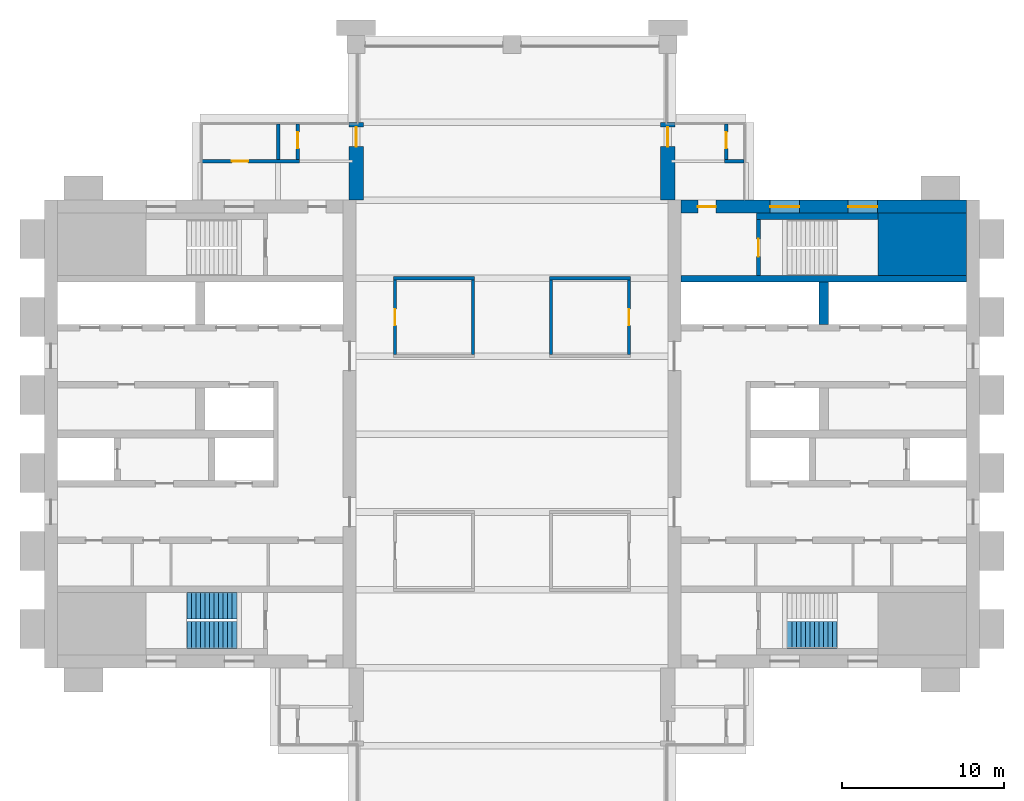
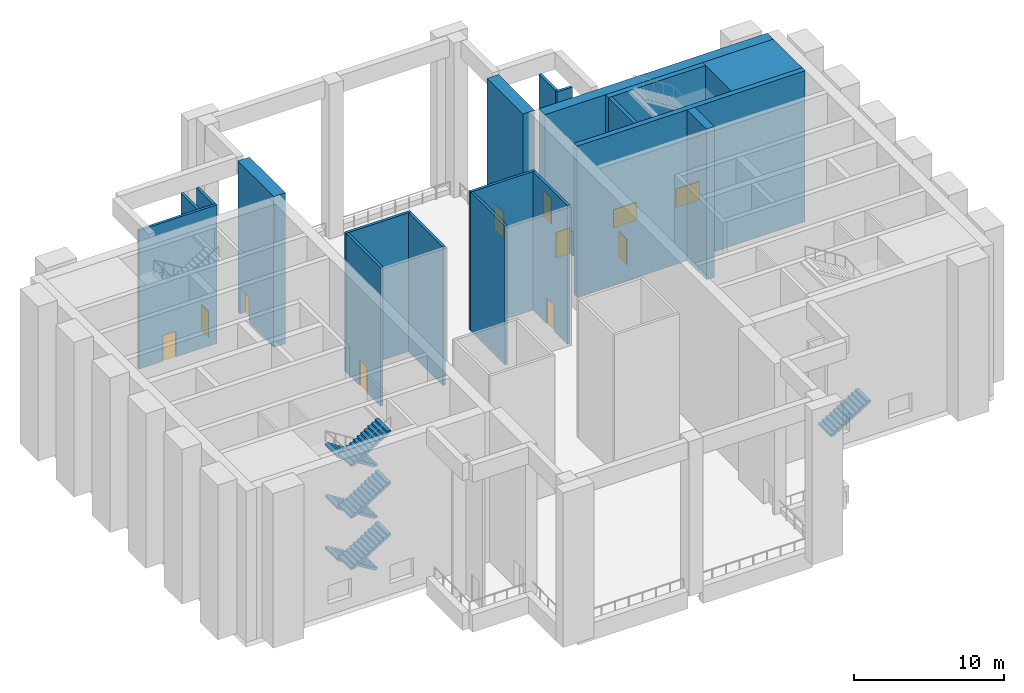
# One storey, part 5 of 8: 19 walls, 9 doors, 7 stair flights, 2 windows, 11 openings, 2 elements without a shape of their own.
"""IFC4 building model written with IfcOpenShell, lengths in metres."""

from ifc_helpers import new_model, si_unit, direction, frame, frame_2d, origin, place, context, subcontext, project, spatial, polyline, rectangle, outline, extrude, material, layer, layer_set, type_object, element, fill, aggregate, save


model = new_model("IFC4")

# Units and contexts
model_context = context("Model", 3, precision=1e-05, world=origin(), true_north=direction((0.0, 1.0)))
body_context = subcontext(model_context, "Body", "Model", "MODEL_VIEW")
ifc_project = project(units=[si_unit("LENGTHUNIT", "METRE"), si_unit("AREAUNIT", "SQUARE_METRE"), si_unit("VOLUMEUNIT", "CUBIC_METRE"), si_unit("PLANEANGLEUNIT", "RADIAN"), si_unit("MASSUNIT", "GRAM", prefix="KILO")], contexts=[model_context])

# Site, building, storey
site_placement = place(None, origin())
site = spatial("IfcSite", under=ifc_project, at=site_placement, CompositionType="ELEMENT")
building_placement = place(site_placement, origin())
building = spatial("IfcBuilding", under=site, at=building_placement, Name="Baori Bourse Tower", CompositionType="ELEMENT")
storey_placement = place(building_placement, frame((0.0, 0.0, 269.699951171875)))
storey = spatial("IfcBuildingStorey", under=building, at=storey_placement, Name="L60", CompositionType="ELEMENT", Elevation=269.699951171875)

# Wall
ifc_material_1 = material(Name="Concrete f'c 50 MPa", Category="concrete")
wall_type_1 = type_object("IfcWallType", Name="Core corner block f'c 50", PredefinedType="SHEAR", material=ifc_material_1)
wall_1_placement = place(storey_placement, frame((51.35009765625, 35.675048828125, 0.0), z_axis=(0.0, 0.0, 1.0), x_axis=(1.0, 0.0, 0.0)))
element("IfcWall", 1, at=wall_1_placement, inside=storey, type_object=wall_type_1, Name="Core wall E22", PredefinedType="SHEAR", context=body_context, shape_type="SweptSolid", body=[
    extrude(rectangle(XDim=5.449951171875, YDim=3.85009765625, at=frame_2d((2.72509765625, 0.0))), origin(), (0.0, 0.0, 1.0), 12.300048828125),
])

# Wall, openings, door, windows
ifc_material_2 = material(Name="Concrete f'c 50 MPa", Category="concrete")
ifc_layer_1 = layer(ifc_material_2, 0.800048828125)
ifc_layer_set_1 = layer_set([ifc_layer_1], Name="Core wall 800 f'c 50")
wall_type_2 = type_object("IfcWallType", Name="Core wall 800 f'c 50", PredefinedType="SHEAR", material=ifc_layer_set_1)
wall_2_placement = place(storey_placement, frame((39.199951171875, 38.0, 0.0), z_axis=(0.0, 0.0, 1.0), x_axis=(1.0, 0.0, 0.0)))
wall_2 = element("IfcWall", 2, at=wall_2_placement, inside=storey, type_object=wall_type_2, Name="Core wall E25", PredefinedType="SHEAR", context=body_context, shape_type="SweptSolid", body=[
    extrude(rectangle(XDim=17.60009765625, YDim=0.800048828125, at=frame_2d((8.800048828125, 0.0))), origin(), (0.0, 0.0, 1.0), 12.300048828125),
])
opening_1_placement = place(wall_2_placement, frame((1.050048828125, 0.0, 0.0)))
opening_1 = element("IfcOpeningElement", 3, at=opening_1_placement, cuts=wall_2, Name="Opening L60-D204", PredefinedType="OPENING", context=body_context, shape_type="SweptSolid", body=[
    extrude(rectangle(XDim=1.10009765625, YDim=2.10009765625, at=frame_2d((0.550048828125, 1.050048828125))), frame((0.0, 0.409912109375, 0.0), z_axis=(0.0, -1.0, 0.0), x_axis=(1.0, 0.0, 0.0)), (0.0, 0.0, 1.0), 0.820068359375),
])
opening_2_placement = place(wall_2_placement, frame((10.300048828125, 0.0, 0.89990234375)))
opening_2 = element("IfcOpeningElement", 4, at=opening_2_placement, cuts=wall_2, Name="Opening L60-KW205", PredefinedType="OPENING", context=body_context, shape_type="SweptSolid", body=[
    extrude(rectangle(XDim=1.800048828125, YDim=1.5, at=frame_2d((0.89990234375, 0.75))), frame((0.0, 0.409912109375, 0.0), z_axis=(0.0, -1.0, 0.0), x_axis=(1.0, 0.0, 0.0)), (0.0, 0.0, 1.0), 0.820068359375),
])
opening_3_placement = place(wall_2_placement, frame((5.5, 0.0, 0.89990234375)))
opening_3 = element("IfcOpeningElement", 5, at=opening_3_placement, cuts=wall_2, Name="Opening L60-KW206", PredefinedType="OPENING", context=body_context, shape_type="SweptSolid", body=[
    extrude(rectangle(XDim=1.800048828125, YDim=1.5, at=frame_2d((0.89990234375, 0.75))), frame((0.0, 0.409912109375, 0.0), z_axis=(0.0, -1.0, 0.0), x_axis=(1.0, 0.0, 0.0)), (0.0, 0.0, 1.0), 0.820068359375),
])
ifc_material_3 = material(Name="Painted steel door", Category="steel")
door_type_1 = type_object("IfcDoorType", Name="Stair door 1100", OperationType="SINGLE_SWING_LEFT", PredefinedType="DOOR", material=ifc_material_3)
door_1_placement = place(opening_1_placement, origin())
door_1 = element("IfcDoor", 6, at=door_1_placement, inside=storey, type_object=door_type_1, Name="Stair vestibule door B E L60", OperationType="SINGLE_SWING_LEFT", OverallHeight=2.10009765625, OverallWidth=1.10009765625, PredefinedType="DOOR", context=body_context, shape_type="SweptSolid", body=[
    extrude(rectangle(XDim=1.10009765625, YDim=2.10009765625, at=frame_2d((0.550048828125, 1.050048828125))), frame((0.0, 0.02490234375, 0.0), z_axis=(0.0, -1.0, 0.0), x_axis=(1.0, 0.0, 0.0)), (0.0, 0.0, 1.0), 0.050048828125),
])
fill(opening_1, door_1)
ifc_material_4 = material(Name="Pale anodised aluminium", Category="aluminium")
window_type = type_object("IfcWindowType", Name="Stair window 1800 x 1500", PartitioningType="SINGLE_PANEL", PredefinedType="WINDOW", material=ifc_material_4)
window_1_placement = place(opening_2_placement, origin())
window_1 = element("IfcWindow", 7, at=window_1_placement, inside=storey, type_object=window_type, Name="Stair window E L60 5", OverallHeight=1.5, OverallWidth=1.800048828125, PartitioningType="SINGLE_PANEL", PredefinedType="WINDOW", context=body_context, shape_type="SweptSolid", body=[
    extrude(rectangle(XDim=1.800048828125, YDim=1.5, at=frame_2d((0.89990234375, 0.75))), frame((0.0, 0.030029296875, 0.0), z_axis=(0.0, -1.0, 0.0), x_axis=(1.0, 0.0, 0.0)), (0.0, 0.0, 1.0), 0.06005859375),
])
fill(opening_2, window_1)
window_2_placement = place(opening_3_placement, origin())
window_2 = element("IfcWindow", 8, at=window_2_placement, inside=storey, type_object=window_type, Name="Stair window E L60 6", OverallHeight=1.5, OverallWidth=1.800048828125, PartitioningType="SINGLE_PANEL", PredefinedType="WINDOW", context=body_context, shape_type="SweptSolid", body=[
    extrude(rectangle(XDim=1.800048828125, YDim=1.5, at=frame_2d((0.89990234375, 0.75))), frame((0.0, 0.030029296875, 0.0), z_axis=(0.0, -1.0, 0.0), x_axis=(1.0, 0.0, 0.0)), (0.0, 0.0, 1.0), 0.06005859375),
])
fill(opening_3, window_2)

# Wall, opening, door
ifc_material_5 = material(Name="Concrete f'c 50 MPa", Category="concrete")
ifc_layer_2 = layer(ifc_material_5, 0.89990234375)
ifc_layer_set_2 = layer_set([ifc_layer_2], Name="Outrigger wall 900 50")
wall_type_3 = type_object("IfcWallType", Name="Outrigger wall 900 50", PredefinedType="SHEAR", material=ifc_layer_set_2)
wall_3_placement = place(storey_placement, frame((19.199951171875, 38.39990234375, 0.0), z_axis=(0.0, 0.0, 1.0), x_axis=(0.0, 1.0, 0.0)))
wall_3 = element("IfcWall", 9, at=wall_3_placement, inside=storey, type_object=wall_type_3, Name="Outrigger wall L60", PredefinedType="SHEAR", context=body_context, shape_type="SweptSolid", body=[
    extrude(rectangle(XDim=4.800048828125, YDim=0.89990234375, at=frame_2d((2.39990234375, 0.0))), origin(), (0.0, 0.0, 1.0), 12.300048828125),
])
opening_4_placement = place(wall_3_placement, frame((3.300048828125, 0.0, 0.0)))
opening_4 = element("IfcOpeningElement", 10, at=opening_4_placement, cuts=wall_3, Name="Opening L60-D11", PredefinedType="OPENING", context=body_context, shape_type="SweptSolid", body=[
    extrude(rectangle(XDim=1.199951171875, YDim=2.10009765625, at=frame_2d((0.60009765625, 1.050048828125))), frame((0.0, 0.4599609375, 0.0), z_axis=(0.0, -1.0, 0.0), x_axis=(1.0, 0.0, 0.0)), (0.0, 0.0, 1.0), 0.919921875),
])
ifc_material_6 = material(Name="Timber door leaf", Category="wood")
door_type_2 = type_object("IfcDoorType", Name="Door 1200 x 2100", OperationType="SINGLE_SWING_LEFT", PredefinedType="DOOR", material=ifc_material_6)
door_2_placement = place(opening_4_placement, origin())
door_2 = element("IfcDoor", 11, at=door_2_placement, inside=storey, type_object=door_type_2, Name="Door", OperationType="SINGLE_SWING_LEFT", OverallHeight=2.10009765625, OverallWidth=1.199951171875, PredefinedType="DOOR", context=body_context, shape_type="SweptSolid", body=[
    extrude(rectangle(XDim=1.199951171875, YDim=2.10009765625, at=frame_2d((0.60009765625, 1.050048828125))), frame((0.0, 0.02490234375, 0.0), z_axis=(0.0, -1.0, 0.0), x_axis=(1.0, 0.0, 0.0)), (0.0, 0.0, 1.0), 0.050048828125),
])
fill(opening_4, door_2)

wall_4_placement = place(storey_placement, frame((38.39990234375, 38.39990234375, 0.0), z_axis=(0.0, 0.0, 1.0), x_axis=(0.0, 1.0, 0.0)))
wall_4 = element("IfcWall", 12, at=wall_4_placement, inside=storey, type_object=wall_type_3, Name="Outrigger wall L60", PredefinedType="SHEAR", context=body_context, shape_type="SweptSolid", body=[
    extrude(rectangle(XDim=4.800048828125, YDim=0.89990234375, at=frame_2d((2.39990234375, 0.0))), origin(), (0.0, 0.0, 1.0), 12.300048828125),
])
opening_5_placement = place(wall_4_placement, frame((3.300048828125, 0.0, 0.0)))
opening_5 = element("IfcOpeningElement", 13, at=opening_5_placement, cuts=wall_4, Name="Opening L60-D13", PredefinedType="OPENING", context=body_context, shape_type="SweptSolid", body=[
    extrude(rectangle(XDim=1.199951171875, YDim=2.10009765625, at=frame_2d((0.60009765625, 1.050048828125))), frame((0.0, 0.4599609375, 0.0), z_axis=(0.0, -1.0, 0.0), x_axis=(1.0, 0.0, 0.0)), (0.0, 0.0, 1.0), 0.919921875),
])
door_3_placement = place(opening_5_placement, origin())
door_3 = element("IfcDoor", 14, at=door_3_placement, inside=storey, type_object=door_type_2, Name="Door", OperationType="SINGLE_SWING_RIGHT", OverallHeight=2.10009765625, OverallWidth=1.199951171875, PredefinedType="DOOR", context=body_context, shape_type="SweptSolid", body=[
    extrude(rectangle(XDim=1.199951171875, YDim=2.10009765625, at=frame_2d((0.60009765625, 1.050048828125))), frame((0.0, 0.02490234375, 0.0), z_axis=(0.0, -1.0, 0.0), x_axis=(1.0, 0.0, 0.0)), (0.0, 0.0, 1.0), 0.050048828125),
])
fill(opening_5, door_3)

# Walls
ifc_material_7 = material(Name="Gypsum board partition")
ifc_layer_3 = layer(ifc_material_7, 0.199951171875)
ifc_layer_set_3 = layer_set([ifc_layer_3], Name="Plant room wall 200")
wall_type_4 = type_object("IfcWallType", Name="Plant room wall 200", PredefinedType="PARTITIONING", material=ifc_layer_set_3)
for number, where, z_axis, x_axis, name in (
    (15, (21.5, 33.60009765625, 0.0), (0.0, 0.0, 1.0), (1.0, 0.0, 0.0), "Partition"),
    (16, (31.10009765625, 33.60009765625, 0.0), (0.0, 0.0, 1.0), (1.0, 0.0, 0.0), "Partition"),
):
    element("IfcWall", number, at=place(storey_placement, frame(where, z_axis=z_axis, x_axis=x_axis)), inside=storey, type_object=wall_type_4, Name=name, PredefinedType="PARTITIONING", context=body_context, shape_type="SweptSolid", body=[
        extrude(rectangle(XDim=5.0, YDim=0.199951171875, at=frame_2d((2.5, 0.0))), origin(), (0.0, 0.0, 1.0), 11.3095703125),
    ])

# Wall, opening, door
wall_5_placement = place(storey_placement, frame((9.699951171875, 40.800048828125, 0.0), z_axis=(0.0, 0.0, 1.0), x_axis=(1.0, 0.0, 0.0)))
wall_5 = element("IfcWall", 17, at=wall_5_placement, inside=storey, type_object=wall_type_4, Name="Partition", PredefinedType="PARTITIONING", context=body_context, shape_type="SweptSolid", body=[
    extrude(rectangle(XDim=6.0, YDim=0.199951171875, at=frame_2d((3.0, 0.0))), origin(), (0.0, 0.0, 1.0), 11.3095703125),
])
opening_6_placement = place(wall_5_placement, frame((1.85009765625, 0.0, 0.0)))
opening_6 = element("IfcOpeningElement", 18, at=opening_6_placement, cuts=wall_5, Name="Opening L60-D01", PredefinedType="OPENING", context=body_context, shape_type="SweptSolid", body=[
    extrude(rectangle(XDim=1.0, YDim=2.10009765625, at=frame_2d((0.5, 1.050048828125))), frame((0.0, 0.10986328125, 0.0), z_axis=(0.0, -1.0, 0.0), x_axis=(1.0, 0.0, 0.0)), (0.0, 0.0, 1.0), 0.219970703125),
])
ifc_material_8 = material(Name="Timber door leaf", Category="wood")
door_type_3 = type_object("IfcDoorType", Name="Door 1000 x 2100", OperationType="SINGLE_SWING_LEFT", PredefinedType="DOOR", material=ifc_material_8)
door_4_placement = place(opening_6_placement, origin())
door_4 = element("IfcDoor", 19, at=door_4_placement, inside=storey, type_object=door_type_3, Name="Door", OperationType="SINGLE_SWING_RIGHT", OverallHeight=2.10009765625, OverallWidth=1.0, PredefinedType="DOOR", context=body_context, shape_type="SweptSolid", body=[
    extrude(rectangle(XDim=1.0, YDim=2.10009765625, at=frame_2d((0.5, 1.050048828125))), frame((0.0, 0.02490234375, 0.0), z_axis=(0.0, -1.0, 0.0), x_axis=(1.0, 0.0, 0.0)), (0.0, 0.0, 1.0), 0.050048828125),
])
fill(opening_6, door_4)

# Walls
wall_6_placement = place(storey_placement, frame((41.89990234375, 40.800048828125, 0.0), z_axis=(0.0, 0.0, 1.0), x_axis=(1.0, 0.0, 0.0)))
element("IfcWall", 20, at=wall_6_placement, inside=storey, type_object=wall_type_4, Name="Partition", PredefinedType="PARTITIONING", context=body_context, shape_type="SweptSolid", body=[
    extrude(rectangle(XDim=1.2001953125, YDim=0.199951171875, at=frame_2d((0.60009765625, 0.0))), origin(), (0.0, 0.0, 1.0), 11.3095703125),
])
wall_7_placement = place(storey_placement, frame((14.39990234375, 40.89990234375, 0.0), z_axis=(0.0, 0.0, 1.0), x_axis=(0.0, 1.0, 0.0)))
element("IfcWall", 21, at=wall_7_placement, inside=storey, type_object=wall_type_4, Name="Partition", PredefinedType="PARTITIONING", context=body_context, shape_type="SweptSolid", body=[
    extrude(rectangle(XDim=2.2001953125, YDim=0.199951171875, at=frame_2d((1.10009765625, 0.0))), origin(), (0.0, 0.0, 1.0), 11.3095703125),
])

# Wall, opening, door
wall_8_placement = place(storey_placement, frame((15.60009765625, 40.89990234375, 0.0), z_axis=(0.0, 0.0, 1.0), x_axis=(0.0, 1.0, 0.0)))
wall_8 = element("IfcWall", 22, at=wall_8_placement, inside=storey, type_object=wall_type_4, Name="Partition", PredefinedType="PARTITIONING", context=body_context, shape_type="SweptSolid", body=[
    extrude(rectangle(XDim=2.2001953125, YDim=0.199951171875, at=frame_2d((1.10009765625, 0.0))), origin(), (0.0, 0.0, 1.0), 11.3095703125),
])
opening_7_placement = place(wall_8_placement, frame((0.699951171875, 0.0, 0.0)))
opening_7 = element("IfcOpeningElement", 23, at=opening_7_placement, cuts=wall_8, Name="Opening L60-D03", PredefinedType="OPENING", context=body_context, shape_type="SweptSolid", body=[
    extrude(rectangle(XDim=1.0, YDim=2.10009765625, at=frame_2d((0.5, 1.050048828125))), frame((0.0, 0.10986328125, 0.0), z_axis=(0.0, -1.0, 0.0), x_axis=(1.0, 0.0, 0.0)), (0.0, 0.0, 1.0), 0.219970703125),
])
door_5_placement = place(opening_7_placement, origin())
door_5 = element("IfcDoor", 24, at=door_5_placement, inside=storey, type_object=door_type_3, Name="Door", OperationType="SINGLE_SWING_LEFT", OverallHeight=2.10009765625, OverallWidth=1.0, PredefinedType="DOOR", context=body_context, shape_type="SweptSolid", body=[
    extrude(rectangle(XDim=1.0, YDim=2.10009765625, at=frame_2d((0.5, 1.050048828125))), frame((0.0, 0.02490234375, 0.0), z_axis=(0.0, -1.0, 0.0), x_axis=(1.0, 0.0, 0.0)), (0.0, 0.0, 1.0), 0.050048828125),
])
fill(opening_7, door_5)

wall_9_placement = place(storey_placement, frame((21.60009765625, 28.89990234375, 0.0), z_axis=(0.0, 0.0, 1.0), x_axis=(0.0, 1.0, 0.0)))
wall_9 = element("IfcWall", 25, at=wall_9_placement, inside=storey, type_object=wall_type_4, Name="Partition", PredefinedType="PARTITIONING", context=body_context, shape_type="SweptSolid", body=[
    extrude(rectangle(XDim=4.60009765625, YDim=0.199951171875, at=frame_2d((2.300048828125, 0.0))), origin(), (0.0, 0.0, 1.0), 11.3095703125),
])
opening_8_placement = place(wall_9_placement, frame((1.800048828125, 0.0, 0.0)))
opening_8 = element("IfcOpeningElement", 26, at=opening_8_placement, cuts=wall_9, Name="Opening L60-D05", PredefinedType="OPENING", context=body_context, shape_type="SweptSolid", body=[
    extrude(rectangle(XDim=1.0, YDim=2.10009765625, at=frame_2d((0.5, 1.050048828125))), frame((0.0, 0.10986328125, 0.0), z_axis=(0.0, -1.0, 0.0), x_axis=(1.0, 0.0, 0.0)), (0.0, 0.0, 1.0), 0.219970703125),
])
door_6_placement = place(opening_8_placement, origin())
door_6 = element("IfcDoor", 27, at=door_6_placement, inside=storey, type_object=door_type_3, Name="Door", OperationType="SINGLE_SWING_LEFT", OverallHeight=2.10009765625, OverallWidth=1.0, PredefinedType="DOOR", context=body_context, shape_type="SweptSolid", body=[
    extrude(rectangle(XDim=1.0, YDim=2.10009765625, at=frame_2d((0.5, 1.050048828125))), frame((0.0, 0.02490234375, 0.0), z_axis=(0.0, -1.0, 0.0), x_axis=(1.0, 0.0, 0.0)), (0.0, 0.0, 1.0), 0.050048828125),
])
fill(opening_8, door_6)

# Walls
for number, where, z_axis, x_axis, name in (
    (28, (26.39990234375, 28.89990234375, 0.0), (0.0, 0.0, 1.0), (0.0, 1.0, 0.0), "Partition"),
    (29, (31.199951171875, 28.89990234375, 0.0), (0.0, 0.0, 1.0), (0.0, 1.0, 0.0), "Partition"),
):
    element("IfcWall", number, at=place(storey_placement, frame(where, z_axis=z_axis, x_axis=x_axis)), inside=storey, type_object=wall_type_4, Name=name, PredefinedType="PARTITIONING", context=body_context, shape_type="SweptSolid", body=[
        extrude(rectangle(XDim=4.60009765625, YDim=0.199951171875, at=frame_2d((2.300048828125, 0.0))), origin(), (0.0, 0.0, 1.0), 11.3095703125),
    ])

# Wall, opening, door
wall_10_placement = place(storey_placement, frame((36.0, 28.89990234375, 0.0), z_axis=(0.0, 0.0, 1.0), x_axis=(0.0, 1.0, 0.0)))
wall_10 = element("IfcWall", 30, at=wall_10_placement, inside=storey, type_object=wall_type_4, Name="Partition", PredefinedType="PARTITIONING", context=body_context, shape_type="SweptSolid", body=[
    extrude(rectangle(XDim=4.60009765625, YDim=0.199951171875, at=frame_2d((2.300048828125, 0.0))), origin(), (0.0, 0.0, 1.0), 11.3095703125),
])
opening_9_placement = place(wall_10_placement, frame((1.800048828125, 0.0, 0.0)))
opening_9 = element("IfcOpeningElement", 31, at=opening_9_placement, cuts=wall_10, Name="Opening L60-D07", PredefinedType="OPENING", context=body_context, shape_type="SweptSolid", body=[
    extrude(rectangle(XDim=1.0, YDim=2.10009765625, at=frame_2d((0.5, 1.050048828125))), frame((0.0, 0.10986328125, 0.0), z_axis=(0.0, -1.0, 0.0), x_axis=(1.0, 0.0, 0.0)), (0.0, 0.0, 1.0), 0.219970703125),
])
door_7_placement = place(opening_9_placement, origin())
door_7 = element("IfcDoor", 32, at=door_7_placement, inside=storey, type_object=door_type_3, Name="Door", OperationType="SINGLE_SWING_RIGHT", OverallHeight=2.10009765625, OverallWidth=1.0, PredefinedType="DOOR", context=body_context, shape_type="SweptSolid", body=[
    extrude(rectangle(XDim=1.0, YDim=2.10009765625, at=frame_2d((0.5, 1.050048828125))), frame((0.0, 0.02490234375, 0.0), z_axis=(0.0, -1.0, 0.0), x_axis=(1.0, 0.0, 0.0)), (0.0, 0.0, 1.0), 0.050048828125),
])
fill(opening_9, door_7)

wall_11_placement = place(storey_placement, frame((42.0, 40.89990234375, 0.0), z_axis=(0.0, 0.0, 1.0), x_axis=(0.0, 1.0, 0.0)))
wall_11 = element("IfcWall", 33, at=wall_11_placement, inside=storey, type_object=wall_type_4, Name="Partition", PredefinedType="PARTITIONING", context=body_context, shape_type="SweptSolid", body=[
    extrude(rectangle(XDim=2.2001953125, YDim=0.199951171875, at=frame_2d((1.10009765625, 0.0))), origin(), (0.0, 0.0, 1.0), 11.3095703125),
])
opening_10_placement = place(wall_11_placement, frame((0.699951171875, 0.0, 0.0)))
opening_10 = element("IfcOpeningElement", 34, at=opening_10_placement, cuts=wall_11, Name="Opening L60-D09", PredefinedType="OPENING", context=body_context, shape_type="SweptSolid", body=[
    extrude(rectangle(XDim=1.0, YDim=2.10009765625, at=frame_2d((0.5, 1.050048828125))), frame((0.0, 0.10986328125, 0.0), z_axis=(0.0, -1.0, 0.0), x_axis=(1.0, 0.0, 0.0)), (0.0, 0.0, 1.0), 0.219970703125),
])
door_8_placement = place(opening_10_placement, origin())
door_8 = element("IfcDoor", 35, at=door_8_placement, inside=storey, type_object=door_type_3, Name="Door", OperationType="SINGLE_SWING_RIGHT", OverallHeight=2.10009765625, OverallWidth=1.0, PredefinedType="DOOR", context=body_context, shape_type="SweptSolid", body=[
    extrude(rectangle(XDim=1.0, YDim=2.10009765625, at=frame_2d((0.5, 1.050048828125))), frame((0.0, 0.02490234375, 0.0), z_axis=(0.0, -1.0, 0.0), x_axis=(1.0, 0.0, 0.0)), (0.0, 0.0, 1.0), 0.050048828125),
])
fill(opening_10, door_8)

ifc_material_9 = material(Name="Concrete f'c 50 MPa", Category="concrete")
ifc_layer_4 = layer(ifc_material_9, 0.25)
ifc_layer_set_4 = layer_set([ifc_layer_4], Name="Shaft wall 250 f'c 50")
wall_type_5 = type_object("IfcWallType", Name="Shaft wall 250 f'c 50", PredefinedType="SHEAR", material=ifc_layer_set_4)
wall_12_placement = place(storey_placement, frame((43.97509765625, 33.75, 0.0), z_axis=(0.0, 0.0, 1.0), x_axis=(0.0, 1.0, 0.0)))
wall_12 = element("IfcWall", 36, at=wall_12_placement, inside=storey, type_object=wall_type_5, Name="Core wall E23", PredefinedType="SHEAR", context=body_context, shape_type="SweptSolid", body=[
    extrude(rectangle(XDim=3.449951171875, YDim=0.25, at=frame_2d((1.72509765625, 0.0))), origin(), (0.0, 0.0, 1.0), 12.300048828125),
])
opening_11_placement = place(wall_12_placement, frame((1.175048828125, 0.0, 0.0)))
opening_11 = element("IfcOpeningElement", 37, at=opening_11_placement, cuts=wall_12, Name="Opening L60-D203", PredefinedType="OPENING", context=body_context, shape_type="SweptSolid", body=[
    extrude(rectangle(XDim=1.10009765625, YDim=2.10009765625, at=frame_2d((0.550048828125, 1.050048828125))), frame((0.0, 0.135009765625, 0.0), z_axis=(0.0, -1.0, 0.0), x_axis=(1.0, 0.0, 0.0)), (0.0, 0.0, 1.0), 0.27001953125),
])
door_9_placement = place(opening_11_placement, origin())
door_9 = element("IfcDoor", 38, at=door_9_placement, inside=storey, type_object=door_type_1, Name="Stair door B E L60", OperationType="SINGLE_SWING_LEFT", OverallHeight=2.10009765625, OverallWidth=1.10009765625, PredefinedType="DOOR", context=body_context, shape_type="SweptSolid", body=[
    extrude(rectangle(XDim=1.10009765625, YDim=2.10009765625, at=frame_2d((0.550048828125, 1.050048828125))), frame((0.0, 0.02490234375, 0.0), z_axis=(0.0, -1.0, 0.0), x_axis=(1.0, 0.0, 0.0)), (0.0, 0.0, 1.0), 0.050048828125),
])
fill(opening_11, door_9)

# Walls
ifc_material_10 = material(Name="Concrete f'c 50 MPa", Category="concrete")
ifc_layer_5 = layer(ifc_material_10, 0.39990234375)
ifc_layer_set_5 = layer_set([ifc_layer_5], Name="Shaft wall 400 f'c 50")
wall_type_6 = type_object("IfcWallType", Name="Shaft wall 400 f'c 50", PredefinedType="SHEAR", material=ifc_layer_set_5)
wall_13_placement = place(storey_placement, frame((39.199951171875, 33.550048828125, 0.0), z_axis=(0.0, 0.0, 1.0), x_axis=(1.0, 0.0, 0.0)))
element("IfcWall", 39, at=wall_13_placement, inside=storey, type_object=wall_type_6, Name="Core wall E21", PredefinedType="SHEAR", context=body_context, shape_type="SweptSolid", body=[
    extrude(rectangle(XDim=17.60009765625, YDim=0.39990234375, at=frame_2d((8.800048828125, 0.0))), origin(), (0.0, 0.0, 1.0), 12.300048828125),
])
wall_14_placement = place(storey_placement, frame((43.85009765625, 37.39990234375, 0.0), z_axis=(0.0, 0.0, 1.0), x_axis=(1.0, 0.0, 0.0)))
element("IfcWall", 40, at=wall_14_placement, inside=storey, type_object=wall_type_6, Name="Core wall E24", PredefinedType="SHEAR", context=body_context, shape_type="SweptSolid", body=[
    extrude(rectangle(XDim=7.5, YDim=0.39990234375, at=frame_2d((3.75, 0.0))), origin(), (0.0, 0.0, 1.0), 12.300048828125),
])
ifc_material_11 = material(Name="Concrete f'c 50 MPa", Category="concrete")
ifc_layer_6 = layer(ifc_material_11, 0.60009765625)
ifc_layer_set_6 = layer_set([ifc_layer_6], Name="Shaft wall 600 f'c 50")
wall_type_7 = type_object("IfcWallType", Name="Shaft wall 600 f'c 50", PredefinedType="SHEAR", material=ifc_layer_set_6)
wall_15_placement = place(storey_placement, frame((48.0, 30.75, 0.0), z_axis=(0.0, 0.0, 1.0), x_axis=(0.0, 1.0, 0.0)))
element("IfcWall", 41, at=wall_15_placement, inside=storey, type_object=wall_type_7, Name="Core wall E20", PredefinedType="SHEAR", context=body_context, shape_type="SweptSolid", body=[
    extrude(rectangle(XDim=2.60009765625, YDim=0.60009765625, at=frame_2d((1.300048828125, 0.0))), origin(), (0.0, 0.0, 1.0), 12.300048828125),
])

# Stair, stair flights
ifc_material_12 = material(Name="Concrete f'c 50 MPa", Category="concrete")
stair_type = type_object("IfcStairType", Name="Core stair", PredefinedType="HALF_TURN_STAIR", material=ifc_material_12)
stair_1_placement = place(storey_placement, origin())
stair_1 = element("IfcStair", 42, at=stair_1_placement, inside=storey, type_object=stair_type, Name="L60 Stair WA", PredefinedType="HALF_TURN_STAIR")
ifc_material_13 = material(Name="Concrete f'c 50 MPa", Category="concrete")
stair_flight_type = type_object("IfcStairFlightType", Name="Core stair flight", PredefinedType="STRAIGHT", material=ifc_material_13)
stair_flight_1_placement = place(storey_placement, frame((11.85009765625, 13.425048828125, 0.0), z_axis=(0.0, 0.0, 1.0), x_axis=(-1.0, 0.0, 0.0)))
stair_flight_1 = element("IfcStairFlight", 43, at=stair_flight_1_placement, type_object=stair_flight_type, Name="ST1 flight 1", NumberOfRisers=12, NumberOfTreads=11, PredefinedType="STRAIGHT", RiserHeight=0.175, TreadLength=0.28, context=body_context, shape_type="SweptSolid", body=[
    extrude(outline(polyline([(0.0, 0.0), (0.0, 0.175048828125), (0.280029296875, 0.175048828125), (0.280029296875, 0.35009765625), (0.56005859375, 0.35009765625), (0.56005859375, 0.52490234375), (0.840087890625, 0.52490234375), (0.840087890625, 0.699951171875), (1.1201171875, 0.699951171875), (1.1201171875, 0.875), (1.39990234375, 0.875), (1.39990234375, 1.050048828125), (1.679931640625, 1.050048828125), (1.679931640625, 1.22509765625), (1.9599609375, 1.22509765625), (1.9599609375, 1.39990234375), (2.239990234375, 1.39990234375), (2.239990234375, 1.574951171875), (2.52001953125, 1.574951171875), (2.52001953125, 1.75), (2.800048828125, 1.75), (2.800048828125, 1.925048828125), (3.080078125, 1.925048828125), (3.080078125, 2.10009765625), (3.080078125, 1.748291015625), (0.28271484375, 0.0), (0.0, 0.0)])), frame((0.0, 0.824951171875, 0.0), z_axis=(0.0, -1.0, 0.0), x_axis=(1.0, 0.0, 0.0)), (0.0, 0.0, 1.0), 1.64990234375),
])
stair_flight_2_placement = place(storey_placement, frame((8.77001953125, 11.625, 2.10009765625), z_axis=(0.0, 0.0, 1.0), x_axis=(1.0, 0.0, 0.0)))
stair_flight_2 = element("IfcStairFlight", 44, at=stair_flight_2_placement, type_object=stair_flight_type, Name="ST1 flight 2", NumberOfRisers=12, NumberOfTreads=11, PredefinedType="STRAIGHT", RiserHeight=0.175, TreadLength=0.28, context=body_context, shape_type="SweptSolid", body=[
    extrude(outline(polyline([(0.0, 0.0), (0.0, 0.175048828125), (0.280029296875, 0.175048828125), (0.280029296875, 0.35009765625), (0.56005859375, 0.35009765625), (0.56005859375, 0.52490234375), (0.840087890625, 0.52490234375), (0.840087890625, 0.699951171875), (1.1201171875, 0.699951171875), (1.1201171875, 0.875), (1.39990234375, 0.875), (1.39990234375, 1.050048828125), (1.679931640625, 1.050048828125), (1.679931640625, 1.22509765625), (1.9599609375, 1.22509765625), (1.9599609375, 1.39990234375), (2.239990234375, 1.39990234375), (2.239990234375, 1.574951171875), (2.52001953125, 1.574951171875), (2.52001953125, 1.75), (2.800048828125, 1.75), (2.800048828125, 1.925048828125), (3.080078125, 1.925048828125), (3.080078125, 2.10009765625), (3.080078125, 1.748291015625), (0.28271484375, 0.0), (0.0, 0.0)])), frame((0.0, 0.824951171875, 0.0), z_axis=(0.0, -1.0, 0.0), x_axis=(1.0, 0.0, 0.0)), (0.0, 0.0, 1.0), 1.64990234375),
])
stair_flight_3_placement = place(storey_placement, frame((11.85009765625, 13.425048828125, 4.199951171875), z_axis=(0.0, 0.0, 1.0), x_axis=(-1.0, 0.0, 0.0)))
stair_flight_3 = element("IfcStairFlight", 45, at=stair_flight_3_placement, type_object=stair_flight_type, Name="ST1 flight 3", NumberOfRisers=12, NumberOfTreads=11, PredefinedType="STRAIGHT", RiserHeight=0.175, TreadLength=0.28, context=body_context, shape_type="SweptSolid", body=[
    extrude(outline(polyline([(0.0, 0.0), (0.0, 0.175048828125), (0.280029296875, 0.175048828125), (0.280029296875, 0.35009765625), (0.56005859375, 0.35009765625), (0.56005859375, 0.52490234375), (0.840087890625, 0.52490234375), (0.840087890625, 0.699951171875), (1.1201171875, 0.699951171875), (1.1201171875, 0.875), (1.39990234375, 0.875), (1.39990234375, 1.050048828125), (1.679931640625, 1.050048828125), (1.679931640625, 1.22509765625), (1.9599609375, 1.22509765625), (1.9599609375, 1.39990234375), (2.239990234375, 1.39990234375), (2.239990234375, 1.574951171875), (2.52001953125, 1.574951171875), (2.52001953125, 1.75), (2.800048828125, 1.75), (2.800048828125, 1.925048828125), (3.080078125, 1.925048828125), (3.080078125, 2.10009765625), (3.080078125, 1.748291015625), (0.28271484375, 0.0), (0.0, 0.0)])), frame((0.0, 0.824951171875, 0.0), z_axis=(0.0, -1.0, 0.0), x_axis=(1.0, 0.0, 0.0)), (0.0, 0.0, 1.0), 1.64990234375),
])
stair_flight_4_placement = place(storey_placement, frame((8.77001953125, 11.625, 6.300048828125), z_axis=(0.0, 0.0, 1.0), x_axis=(1.0, 0.0, 0.0)))
stair_flight_4 = element("IfcStairFlight", 46, at=stair_flight_4_placement, type_object=stair_flight_type, Name="ST1 flight 4", NumberOfRisers=12, NumberOfTreads=11, PredefinedType="STRAIGHT", RiserHeight=0.175, TreadLength=0.28, context=body_context, shape_type="SweptSolid", body=[
    extrude(outline(polyline([(0.0, 0.0), (0.0, 0.175048828125), (0.280029296875, 0.175048828125), (0.280029296875, 0.35009765625), (0.56005859375, 0.35009765625), (0.56005859375, 0.52490234375), (0.840087890625, 0.52490234375), (0.840087890625, 0.699951171875), (1.1201171875, 0.699951171875), (1.1201171875, 0.875), (1.39990234375, 0.875), (1.39990234375, 1.050048828125), (1.679931640625, 1.050048828125), (1.679931640625, 1.22509765625), (1.9599609375, 1.22509765625), (1.9599609375, 1.39990234375), (2.239990234375, 1.39990234375), (2.239990234375, 1.574951171875), (2.52001953125, 1.574951171875), (2.52001953125, 1.75), (2.800048828125, 1.75), (2.800048828125, 1.925048828125), (3.080078125, 1.925048828125), (3.080078125, 2.10009765625), (3.080078125, 1.748291015625), (0.28271484375, 0.0), (0.0, 0.0)])), frame((0.0, 0.824951171875, 0.0), z_axis=(0.0, -1.0, 0.0), x_axis=(1.0, 0.0, 0.0)), (0.0, 0.0, 1.0), 1.64990234375),
])
stair_flight_5_placement = place(storey_placement, frame((11.85009765625, 13.425048828125, 8.400146484375), z_axis=(0.0, 0.0, 1.0), x_axis=(-1.0, 0.0, 0.0)))
stair_flight_5 = element("IfcStairFlight", 47, at=stair_flight_5_placement, type_object=stair_flight_type, Name="ST1 flight 5", NumberOfRisers=12, NumberOfTreads=11, PredefinedType="STRAIGHT", RiserHeight=0.175, TreadLength=0.28, context=body_context, shape_type="SweptSolid", body=[
    extrude(outline(polyline([(0.0, 0.0), (0.0, 0.175048828125), (0.280029296875, 0.175048828125), (0.280029296875, 0.35009765625), (0.56005859375, 0.35009765625), (0.56005859375, 0.52490234375), (0.840087890625, 0.52490234375), (0.840087890625, 0.699951171875), (1.1201171875, 0.699951171875), (1.1201171875, 0.875), (1.39990234375, 0.875), (1.39990234375, 1.050048828125), (1.679931640625, 1.050048828125), (1.679931640625, 1.22509765625), (1.9599609375, 1.22509765625), (1.9599609375, 1.39990234375), (2.239990234375, 1.39990234375), (2.239990234375, 1.574951171875), (2.52001953125, 1.574951171875), (2.52001953125, 1.75), (2.800048828125, 1.75), (2.800048828125, 1.925048828125), (3.080078125, 1.925048828125), (3.080078125, 2.10009765625), (3.080078125, 1.748291015625), (0.28271484375, 0.0), (0.0, 0.0)])), frame((0.0, 0.824951171875, 0.0), z_axis=(0.0, -1.0, 0.0), x_axis=(1.0, 0.0, 0.0)), (0.0, 0.0, 1.0), 1.64990234375),
])
stair_flight_6_placement = place(storey_placement, frame((8.77001953125, 11.625, 10.5), z_axis=(0.0, 0.0, 1.0), x_axis=(1.0, 0.0, 0.0)))
stair_flight_6 = element("IfcStairFlight", 48, at=stair_flight_6_placement, type_object=stair_flight_type, Name="ST1 flight 6", NumberOfRisers=12, NumberOfTreads=11, PredefinedType="STRAIGHT", RiserHeight=0.175, TreadLength=0.28, context=body_context, shape_type="SweptSolid", body=[
    extrude(outline(polyline([(0.0, 0.0), (0.0, 0.175048828125), (0.280029296875, 0.175048828125), (0.280029296875, 0.35009765625), (0.56005859375, 0.35009765625), (0.56005859375, 0.52490234375), (0.840087890625, 0.52490234375), (0.840087890625, 0.699951171875), (1.1201171875, 0.699951171875), (1.1201171875, 0.875), (1.39990234375, 0.875), (1.39990234375, 1.050048828125), (1.679931640625, 1.050048828125), (1.679931640625, 1.22509765625), (1.9599609375, 1.22509765625), (1.9599609375, 1.39990234375), (2.239990234375, 1.39990234375), (2.239990234375, 1.574951171875), (2.52001953125, 1.574951171875), (2.52001953125, 1.75), (2.800048828125, 1.75), (2.800048828125, 1.925048828125), (3.080078125, 1.925048828125), (3.080078125, 2.10009765625), (3.080078125, 1.748291015625), (0.28271484375, 0.0), (0.0, 0.0)])), frame((0.0, 0.824951171875, 0.0), z_axis=(0.0, -1.0, 0.0), x_axis=(1.0, 0.0, 0.0)), (0.0, 0.0, 1.0), 1.64990234375),
])
aggregate(stair_1, [stair_flight_1, stair_flight_2, stair_flight_3, stair_flight_4, stair_flight_5, stair_flight_6])

# Stair, stair flight
stair_2_placement = place(storey_placement, origin())
stair_2 = element("IfcStair", 49, at=stair_2_placement, inside=storey, type_object=stair_type, Name="L60 Stair EA", PredefinedType="HALF_TURN_STAIR")
stair_flight_7_placement = place(storey_placement, frame((45.75, 11.625, 0.0), z_axis=(0.0, 0.0, 1.0), x_axis=(1.0, 0.0, 0.0)))
stair_flight_7 = element("IfcStairFlight", 50, at=stair_flight_7_placement, type_object=stair_flight_type, Name="ST3 flight 1", NumberOfRisers=12, NumberOfTreads=11, PredefinedType="STRAIGHT", RiserHeight=0.175, TreadLength=0.28, context=body_context, shape_type="SweptSolid", body=[
    extrude(outline(polyline([(0.0, 0.0), (0.0, 0.175048828125), (0.280029296875, 0.175048828125), (0.280029296875, 0.35009765625), (0.56005859375, 0.35009765625), (0.56005859375, 0.52490234375), (0.840087890625, 0.52490234375), (0.840087890625, 0.699951171875), (1.1201171875, 0.699951171875), (1.1201171875, 0.875), (1.39990234375, 0.875), (1.39990234375, 1.050048828125), (1.679931640625, 1.050048828125), (1.679931640625, 1.22509765625), (1.9599609375, 1.22509765625), (1.9599609375, 1.39990234375), (2.239990234375, 1.39990234375), (2.239990234375, 1.574951171875), (2.52001953125, 1.574951171875), (2.52001953125, 1.75), (2.800048828125, 1.75), (2.800048828125, 1.925048828125), (3.080078125, 1.925048828125), (3.080078125, 2.10009765625), (3.080078125, 1.748291015625), (0.28271484375, 0.0), (0.0, 0.0)])), frame((0.0, 0.824951171875, 0.0), z_axis=(0.0, -1.0, 0.0), x_axis=(1.0, 0.0, 0.0)), (0.0, 0.0, 1.0), 1.64990234375),
])
aggregate(stair_2, [stair_flight_7])

save(model, "model.ifc")
